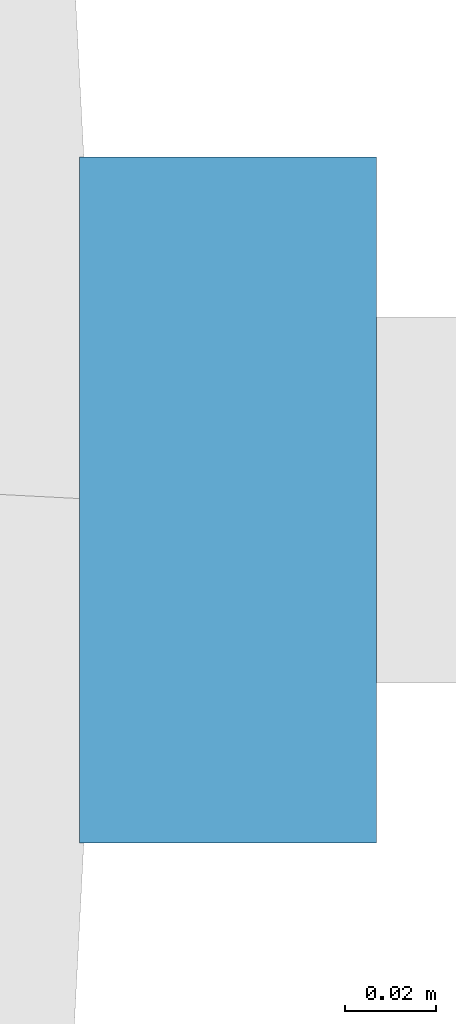
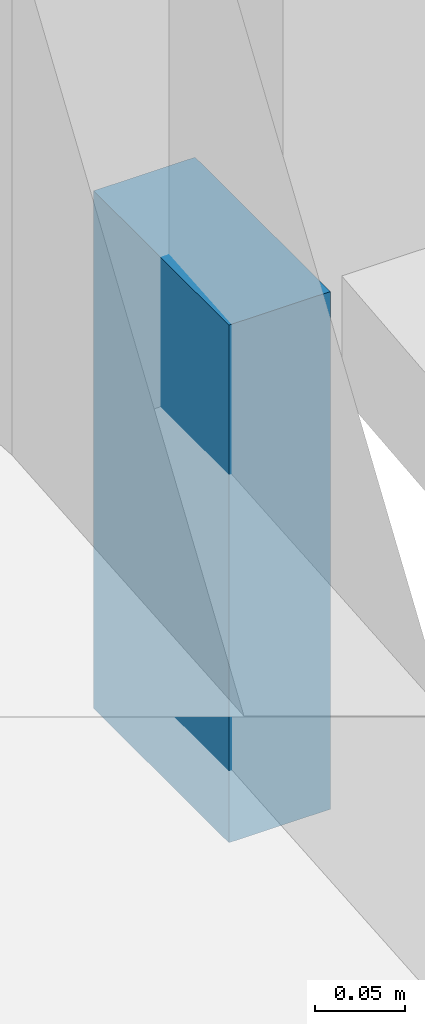
# One storey, part 16 of 20: 1 discrete accessory.
"""IFC4 building model written with IfcOpenShell, lengths in metres."""

from ifc_helpers import new_model, si_unit, direction, frame, origin, origin_2d, place, context, subcontext, project, spatial, rectangle, extrude, material, type_object, element, save


model = new_model("IFC4")

# Units and contexts
model_context = context("Model", 3, precision=1e-05, world=origin(), true_north=direction((0.0, 1.0)))
body_context = subcontext(model_context, "Body", "Model", "MODEL_VIEW")
ifc_project = project(units=[si_unit("LENGTHUNIT", "METRE"), si_unit("AREAUNIT", "SQUARE_METRE"), si_unit("VOLUMEUNIT", "CUBIC_METRE"), si_unit("PLANEANGLEUNIT", "RADIAN"), si_unit("MASSUNIT", "GRAM", prefix="KILO")], contexts=[model_context])

# Site, building, storey
site_placement = place(None, origin())
site = spatial("IfcSite", under=ifc_project, at=site_placement, CompositionType="ELEMENT")
building_placement = place(site_placement, origin())
building = spatial("IfcBuilding", under=site, at=building_placement, Name="Ghaith Harvest Tower", CompositionType="ELEMENT")
storey_placement = place(building_placement, frame((0.0, 0.0, 80.0)))
storey = spatial("IfcBuildingStorey", under=building, at=storey_placement, Name="L16", CompositionType="ELEMENT", Elevation=80.0)

# Discrete accessory
ifc_material = material(Name="Stainless steel grade 1.4401", Category="steel")
discrete_accessory_type = type_object("IfcDiscreteAccessoryType", Name="CURTAIN WALL BRACKET 65", PredefinedType="BRACKET", material=ifc_material)
discrete_accessory_placement = place(storey_placement, frame((34.152587890625, 0.0, -0.25), z_axis=(0.0, 0.0, 1.0), x_axis=(1.0, 0.0, 0.0)))
element("IfcDiscreteAccessory", 1, at=discrete_accessory_placement, inside=storey, type_object=discrete_accessory_type, Name="CW-F bracket 1 bay 01 L16", PredefinedType="BRACKET", context=body_context, shape_type="SweptSolid", body=[
    extrude(rectangle(XDim=0.06494140625, YDim=0.14990234375, at=origin_2d()), origin(), (0.0, 0.0, 1.0), 0.35009765625),
])

save(model, "model.ifc")
